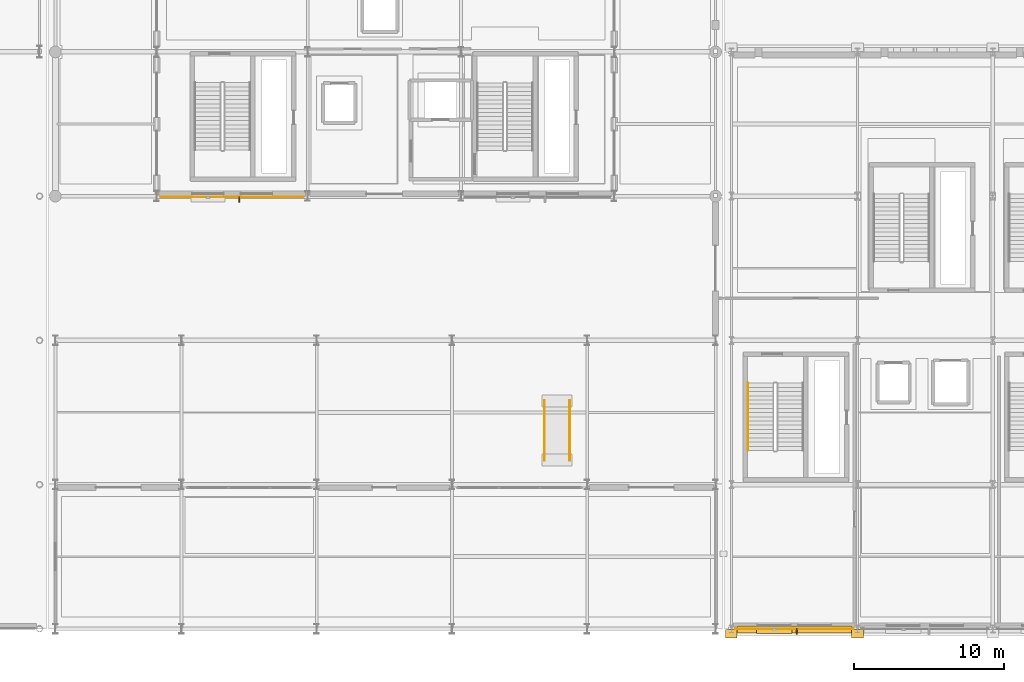
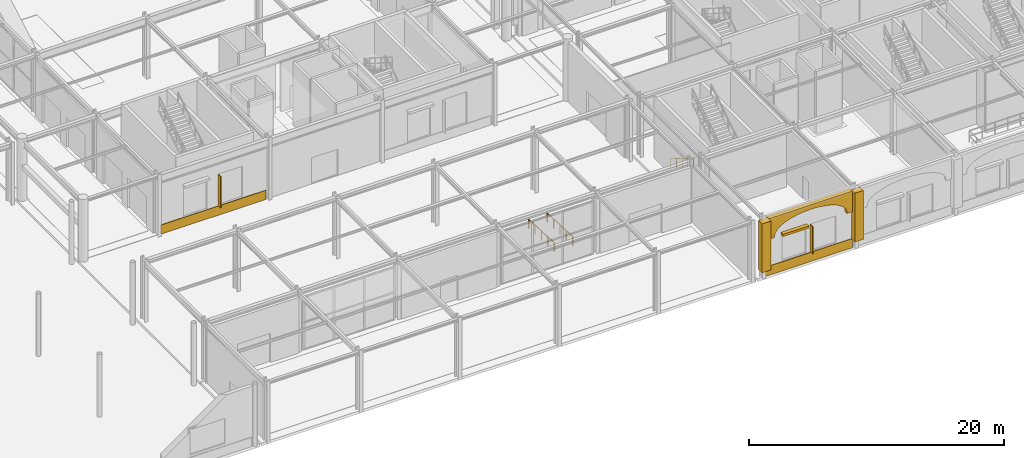
# One storey, part 80 of 113: 5 coverings, 3 railings, 3 shading devices.
"""IFC4 building model written with IfcOpenShell, lengths in metres."""

from ifc_helpers import new_model, si_unit, direction, frame, origin, origin_2d, place, context, subcontext, project, spatial, polyline, rectangle, outline, extrude, material, layer, layer_set, type_object, element, save


model = new_model("IFC4")

# Units and contexts
model_context = context("Model", 3, precision=1e-05, world=origin(), true_north=direction((0.0, 1.0)))
body_context = subcontext(model_context, "Body", "Model", "MODEL_VIEW")
ifc_project = project(units=[si_unit("LENGTHUNIT", "METRE"), si_unit("AREAUNIT", "SQUARE_METRE"), si_unit("VOLUMEUNIT", "CUBIC_METRE"), si_unit("PLANEANGLEUNIT", "RADIAN"), si_unit("MASSUNIT", "GRAM", prefix="KILO")], contexts=[model_context])

# Site, building, storey
site_placement = place(None, origin())
site = spatial("IfcSite", under=ifc_project, at=site_placement, CompositionType="ELEMENT")
building_placement = place(site_placement, origin())
building = spatial("IfcBuilding", under=site, at=building_placement, Name="Myrtia Square Station", CompositionType="ELEMENT")
storey_placement = place(building_placement, origin())
storey = spatial("IfcBuildingStorey", under=building, at=storey_placement, Name="L00", CompositionType="ELEMENT", Elevation=0.0)

# Coverings
ifc_material_1 = material(Name="Pentelic marble ashlar", Category="masonry")
ifc_layer_1 = layer(ifc_material_1, 0.4599609375, Name="Pentelic marble ashlar")
ifc_layer_set_1 = layer_set([ifc_layer_1], Name="Pentelic marble ashlar")
covering_type_1 = type_object("IfcCoveringType", Name="COV-ARCH-ASHLAR", PredefinedType="CLADDING", material=ifc_layer_set_1)
covering_1_placement = place(storey_placement, frame((118.02001953125, -0.050048828125, 3.64990234375), z_axis=(0.0, 0.0, 1.0), x_axis=(1.0, 0.0, 0.0)))
element("IfcCovering", 1, at=covering_1_placement, inside=storey, type_object=covering_type_1, Name="South street facade arch spandrel 014", PredefinedType="CLADDING", context=body_context, shape_type="SweptSolid", body=[
    extrude(outline(polyline([(0.0, 0.0), (0.5, 0.0), (0.5, 0.150146484375), (0.56298828125, 0.42333984375), (0.749755859375, 0.685791015625), (1.052734375, 0.927978515625), (1.460693359375, 1.14013671875), (1.957763671875, 1.314208984375), (2.52490234375, 1.443603515625), (3.14013671875, 1.523193359375), (3.780029296875, 1.550048828125), (4.419921875, 1.523193359375), (5.03515625, 1.443603515625), (5.602294921875, 1.314208984375), (6.099365234375, 1.14013671875), (6.50732421875, 0.927978515625), (6.810302734375, 0.685791015625), (6.9970703125, 0.42333984375), (7.06005859375, 0.150146484375), (7.06005859375, 0.0), (7.56005859375, 0.0), (7.56005859375, 1.97021484375), (0.0, 1.97021484375), (0.0, 0.0)])), frame((0.0, 0.22998046875, 0.0), z_axis=(0.0, -1.0, 0.0), x_axis=(1.0, 0.0, 0.0)), (0.0, 0.0, 1.0), 0.4599609375),
])
for number, where, z_axis, x_axis, name in (
    (2, (117.60009765625, -0.320068359375, 0.919921875), (0.0, 0.0, 1.0), (1.0, 0.0, 0.0), "Classical Pentelic ashlar pilaster 003"),
    (3, (126.0, -0.320068359375, 0.919921875), (0.0, 0.0, 1.0), (1.0, 0.0, 0.0), "Classical Pentelic ashlar pilaster 011"),
):
    element("IfcCovering", number, at=place(storey_placement, frame(where, z_axis=z_axis, x_axis=x_axis)), inside=storey, type_object=covering_type_1, Name=name, PredefinedType="CLADDING", context=body_context, shape_type="SweptSolid", body=[
        extrude(rectangle(XDim=0.780029296875, YDim=0.56005859375, at=origin_2d()), origin(), (0.0, 0.0, 1.0), 4.679931640625),
    ])
ifc_layer_2 = layer(ifc_material_1, 0.050048828125, Name="Pentelic marble ashlar")
ifc_layer_set_2 = layer_set([ifc_layer_2], Name="Pentelic marble ashlar")
covering_type_2 = type_object("IfcCoveringType", Name="COV-CLAD-ASHLAR", PredefinedType="CLADDING", material=ifc_layer_set_2)
covering_2_placement = place(storey_placement, frame((84.375, 28.7451171875, 0.0), z_axis=(0.0, 0.0, 1.0), x_axis=(1.0, 0.0, 0.0)))
element("IfcCovering", 4, at=covering_2_placement, inside=storey, type_object=covering_type_2, Name="Spanish Colonial Revival dado cladding 001", PredefinedType="CLADDING", context=body_context, shape_type="SweptSolid", body=[
    extrude(rectangle(XDim=9.5400390625, YDim=0.050048828125, at=origin_2d()), origin(), (0.0, 0.0, 1.0), 0.8798828125),
])
covering_3_placement = place(storey_placement, frame((121.800048828125, -0.0048828125, 0.0), z_axis=(0.0, 0.0, 1.0), x_axis=(1.0, 0.0, 0.0)))
element("IfcCovering", 5, at=covering_3_placement, inside=storey, type_object=covering_type_2, Name="Spanish Colonial Revival dado cladding 011", PredefinedType="CLADDING", context=body_context, shape_type="SweptSolid", body=[
    extrude(rectangle(XDim=7.889892578125, YDim=0.050048828125, at=origin_2d()), origin(), (0.0, 0.0, 1.0), 0.8798828125),
])

# Railings
ifc_material_2 = material(Name="Dark bronze anodised aluminium", Category="aluminium")
railing_type = type_object("IfcRailingType", Name="RL-HANDRAIL-900", PredefinedType="HANDRAIL", material=ifc_material_2)
railing_placement = place(storey_placement, frame((118.699951171875, 16.35009765625, 0.176513671875)))
element("IfcRailing", 6, at=railing_placement, inside=storey, type_object=railing_type, Name="L00 ST05 stair handrail 1", PredefinedType="HANDRAIL", context=body_context, shape_type="SweptSolid", body=[
    extrude(rectangle(XDim=0.048095703125, YDim=0.048095703125, at=origin_2d()), frame((0.0, -0.029296875, 0.894287109375), z_axis=(0.0, -0.845997938375, 0.533186166611), x_axis=(1.0, 0.0, 0.0)), (0.0, 0.0, 1.0), 0.98974609375),
    extrude(rectangle(XDim=0.048095703125, YDim=0.048095703125, at=origin_2d()), frame((0.0, -0.92529296875, 1.458984375), z_axis=(0.0, -0.845997938375, 0.533186166611), x_axis=(1.0, 0.0, 0.0)), (0.0, 0.0, 1.0), 0.98974609375),
    extrude(rectangle(XDim=0.048095703125, YDim=0.048095703125, at=origin_2d()), frame((0.0, -1.8212890625, 2.023681640625), z_axis=(0.0, -0.845997938375, 0.533186166611), x_axis=(1.0, 0.0, 0.0)), (0.0, 0.0, 1.0), 0.98974609375),
    extrude(rectangle(XDim=0.048095703125, YDim=0.048095703125, at=origin_2d()), frame((0.0, -2.71728515625, 2.58837890625), z_axis=(0.0, -0.845997938375, 0.533186166611), x_axis=(1.0, 0.0, 0.0)), (0.0, 0.0, 1.0), 0.98974609375),
    extrude(rectangle(XDim=0.048095703125, YDim=0.048095703125, at=origin_2d()), frame((0.0, -3.61328125, 3.153076171875), z_axis=(0.0, -0.845997938375, 0.533186166611), x_axis=(1.0, 0.0, 0.0)), (0.0, 0.0, 1.0), 0.98974609375),
    extrude(rectangle(XDim=0.0439453125, YDim=0.0439453125, at=origin_2d()), origin(), (0.0, 0.0, 1.0), 0.89990234375),
    extrude(rectangle(XDim=0.0439453125, YDim=0.0439453125, at=origin_2d()), frame((0.0, -0.89599609375, 0.564697265625)), (0.0, 0.0, 1.0), 0.89990234375),
    extrude(rectangle(XDim=0.0439453125, YDim=0.0439453125, at=origin_2d()), frame((0.0, -1.7919921875, 1.12939453125)), (0.0, 0.0, 1.0), 0.89990234375),
    extrude(rectangle(XDim=0.0439453125, YDim=0.0439453125, at=origin_2d()), frame((0.0, -2.68798828125, 1.694091796875)), (0.0, 0.0, 1.0), 0.89990234375),
    extrude(rectangle(XDim=0.0439453125, YDim=0.0439453125, at=origin_2d()), frame((0.0, -3.583984375, 2.2587890625)), (0.0, 0.0, 1.0), 0.89990234375),
    extrude(rectangle(XDim=0.0439453125, YDim=0.0439453125, at=origin_2d()), frame((0.0, -4.47998046875, 2.823486328125)), (0.0, 0.0, 1.0), 0.89990234375),
])
for number, where, name in (
    (7, (106.840087890625, 15.199951171875, -0.199951171875), "Accessible ramp handrail RP3-L"),
    (8, (105.159912109375, 15.199951171875, -0.199951171875), "Accessible ramp handrail RP3-R"),
):
    element("IfcRailing", number, at=place(storey_placement, frame(where)), inside=storey, type_object=railing_type, Name=name, PredefinedType="HANDRAIL", context=body_context, shape_type="SweptSolid", body=[
        extrude(rectangle(XDim=0.048095703125, YDim=0.048095703125, at=origin_2d()), frame((0.0, -0.03466796875, 0.877685546875), z_axis=(0.0, -0.998752946874, 0.049925455535), x_axis=(1.0, 0.0, 0.0)), (0.0, 0.0, 1.0), 0.931884765625),
        extrude(rectangle(XDim=0.048095703125, YDim=0.048095703125, at=origin_2d()), frame((0.0, -1.03466796875, 0.927490234375), z_axis=(0.0, -0.998752946874, 0.049925455535), x_axis=(1.0, 0.0, 0.0)), (0.0, 0.0, 1.0), 0.931884765625),
        extrude(rectangle(XDim=0.048095703125, YDim=0.048095703125, at=origin_2d()), frame((0.0, -2.03466796875, 0.9775390625), z_axis=(0.0, -0.998752946874, 0.049925455535), x_axis=(1.0, 0.0, 0.0)), (0.0, 0.0, 1.0), 0.931884765625),
        extrude(rectangle(XDim=0.048095703125, YDim=0.048095703125, at=origin_2d()), frame((0.0, -3.03466796875, 1.027587890625), z_axis=(0.0, -0.998752946874, 0.049925455535), x_axis=(1.0, 0.0, 0.0)), (0.0, 0.0, 1.0), 0.931884765625),
        extrude(rectangle(XDim=0.0439453125, YDim=0.0439453125, at=origin_2d()), origin(), (0.0, 0.0, 1.0), 0.89990234375),
        extrude(rectangle(XDim=0.0439453125, YDim=0.0439453125, at=origin_2d()), frame((0.0, -1.0, 0.050048828125)), (0.0, 0.0, 1.0), 0.89990234375),
        extrude(rectangle(XDim=0.0439453125, YDim=0.0439453125, at=origin_2d()), frame((0.0, -2.0, 0.10009765625)), (0.0, 0.0, 1.0), 0.89990234375),
        extrude(rectangle(XDim=0.0439453125, YDim=0.0439453125, at=origin_2d()), frame((0.0, -3.0, 0.14990234375)), (0.0, 0.0, 1.0), 0.89990234375),
        extrude(rectangle(XDim=0.0439453125, YDim=0.0439453125, at=origin_2d()), frame((0.0, -4.0, 0.199951171875)), (0.0, 0.0, 1.0), 0.89990234375),
    ])

# Shading devices
shading_device_type_1 = type_object("IfcShadingDeviceType", Name="SHD-FIN-BRONZE", PredefinedType="USERDEFINED", material=ifc_material_2)
shading_device_1_placement = place(storey_placement, frame((84.847900390625, 28.580078125, 0.89990234375), z_axis=(0.0, 0.0, 1.0), x_axis=(1.0, 0.0, 0.0)))
element("IfcShadingDevice", 9, at=shading_device_1_placement, inside=storey, type_object=shading_device_type_1, Name="Vertical bronze solar fin SHF-001", ObjectType="FIN", PredefinedType="USERDEFINED", context=body_context, shape_type="SweptSolid", body=[
    extrude(rectangle(XDim=0.080078125, YDim=0.389892578125, at=origin_2d()), origin(), (0.0, 0.0, 1.0), 3.0),
])
shading_device_2_placement = place(storey_placement, frame((121.947998046875, -0.169921875, 0.949951171875), z_axis=(0.0, 0.0, 1.0), x_axis=(1.0, 0.0, 0.0)))
element("IfcShadingDevice", 10, at=shading_device_2_placement, inside=storey, type_object=shading_device_type_1, Name="Vertical bronze solar fin SHF-005", ObjectType="FIN", PredefinedType="USERDEFINED", context=body_context, shape_type="SweptSolid", body=[
    extrude(rectangle(XDim=0.080078125, YDim=0.389892578125, at=origin_2d()), origin(), (0.0, 0.0, 1.0), 2.60009765625),
])
shading_device_type_2 = type_object("IfcShadingDeviceType", Name="SHD-JALOUSIE-BRONZE", PredefinedType="JALOUSIE", material=ifc_material_2)
shading_device_3_placement = place(storey_placement, frame((120.451904296875, -0.14990234375, 3.490234375), z_axis=(0.0, 0.0, 1.0), x_axis=(1.0, 0.0, 0.0)))
element("IfcShadingDevice", 11, at=shading_device_3_placement, inside=storey, type_object=shading_device_type_2, Name="Mediterranean bronze solar louvre SHL-005", PredefinedType="JALOUSIE", context=body_context, shape_type="SweptSolid", body=[
    extrude(rectangle(XDim=2.360107421875, YDim=0.35009765625, at=origin_2d()), origin(), (0.0, 0.0, 1.0), 0.219970703125),
])

save(model, "model.ifc")
